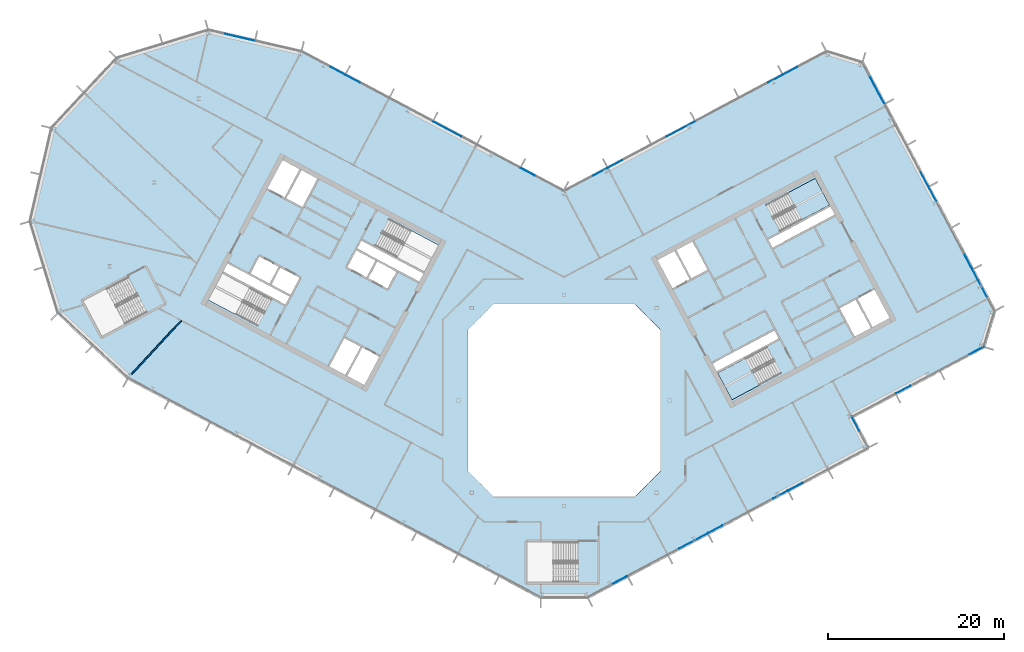
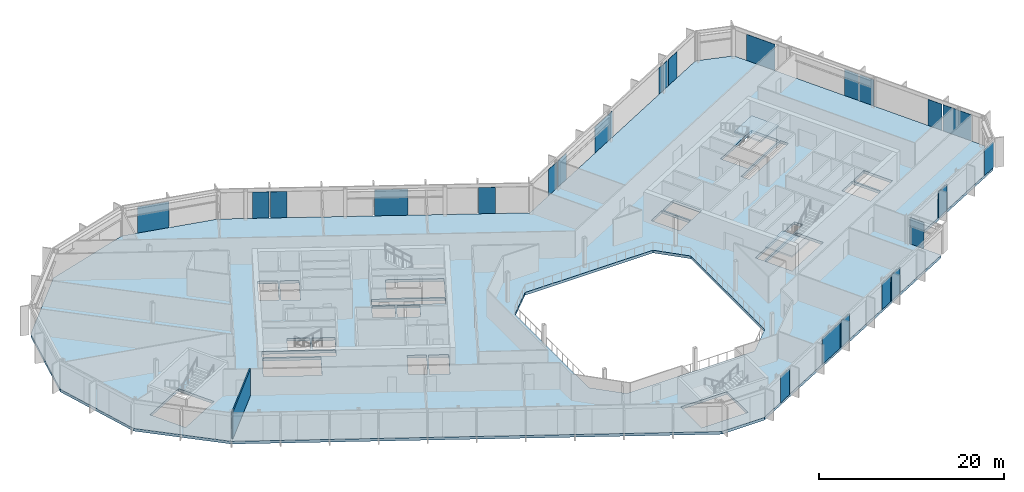
# One storey, part 12 of 27: 23 plates, 3 slabs, 1 wall, 9 elements without a shape of their own.
"""IFC4 building model written with IfcOpenShell, lengths in metres."""

from ifc_helpers import new_model, si_unit, direction, frame, frame_2d, origin, origin_2d, place, context, subcontext, project, spatial, polyline, rectangle, outline, extrude, material, layer, layer_set, type_object, element, aggregate, save


model = new_model("IFC4")

# Units and contexts
model_context = context("Model", 3, precision=1e-05, world=origin(), true_north=direction((0.0, 1.0)))
body_context = subcontext(model_context, "Body", "Model", "MODEL_VIEW")
ifc_project = project(units=[si_unit("LENGTHUNIT", "METRE"), si_unit("AREAUNIT", "SQUARE_METRE"), si_unit("VOLUMEUNIT", "CUBIC_METRE"), si_unit("PLANEANGLEUNIT", "RADIAN"), si_unit("MASSUNIT", "GRAM", prefix="KILO")], contexts=[model_context])

# Site, building, storey
site_placement = place(None, origin())
site = spatial("IfcSite", under=ifc_project, at=site_placement, CompositionType="ELEMENT")
building_placement = place(site_placement, origin())
building = spatial("IfcBuilding", under=site, at=building_placement, Name="Cormorant Relay Tower", CompositionType="ELEMENT")
storey_placement = place(building_placement, frame((0.0, 0.0, 209.10009765625)))
storey = spatial("IfcBuildingStorey", under=building, at=storey_placement, Name="L45", CompositionType="ELEMENT", Elevation=209.10009765625)

# Curtain wall, plates
ifc_material_1 = material(Name="Aluminium 6063-T6 anodised bronze", Category="aluminium")
ifc_layer_1 = layer(ifc_material_1, 0.199951171875)
ifc_layer_set_1 = layer_set([ifc_layer_1], Name="CW1 unitised bronze curtain wall with vertical fins")
curtain_wall_type = type_object("IfcCurtainWallType", Name="CW1 unitised bronze curtain wall with vertical fins", PredefinedType="NOTDEFINED", material=ifc_layer_set_1)
curtain_wall_1_placement = place(storey_placement, origin())
curtain_wall_1 = element("IfcCurtainWall", 1, at=curtain_wall_1_placement, inside=storey, type_object=curtain_wall_type, Name="CW1 curtain wall 2", PredefinedType="NOTDEFINED")
ifc_material_2 = material(Name="Tinted laminated glass", Category="glass")
ifc_layer_2 = layer(ifc_material_2, 0.0400390625)
ifc_layer_set_2 = layer_set([ifc_layer_2], Name="CW1 tinted vision panel 1800 module")
plate_type_1 = type_object("IfcPlateType", Name="CW1 tinted vision panel 1800 module", PredefinedType="CURTAIN_PANEL", material=ifc_layer_set_2)
plate_1_placement = place(storey_placement, frame((6.359130859375, -20.42529296875, 0.0), z_axis=(0.0, 0.0, 1.0), x_axis=(0.882947592859, 0.469471562786, 0.0)))
plate_1 = element("IfcPlate", 2, at=plate_1_placement, type_object=plate_type_1, Name="CW1 panel V01", PredefinedType="CURTAIN_PANEL", context=body_context, shape_type="SweptSolid", body=[
    extrude(rectangle(XDim=1.800048828125, YDim=0.0400390625, at=origin_2d()), origin(), (0.0, 0.0, 1.0), 3.449951171875),
])
plate_2_placement = place(storey_placement, frame((17.20458984375, -14.65869140625, 0.0), z_axis=(0.0, 0.0, 1.0), x_axis=(0.882947592859, 0.469471562786, 0.0)))
plate_2 = element("IfcPlate", 3, at=plate_2_placement, type_object=plate_type_1, Name="CW1 panel V04", PredefinedType="CURTAIN_PANEL", context=body_context, shape_type="SweptSolid", body=[
    extrude(rectangle(XDim=1.800048828125, YDim=0.0400390625, at=origin_2d()), origin(), (0.0, 0.0, 1.0), 3.449951171875),
])
plate_3_placement = place(storey_placement, frame((24.6064453125, -10.72314453125, 0.0), z_axis=(0.0, 0.0, 1.0), x_axis=(0.882947592859, 0.469471562786, 0.0)))
plate_3 = element("IfcPlate", 4, at=plate_3_placement, type_object=plate_type_1, Name="CW1 panel V06", PredefinedType="CURTAIN_PANEL", context=body_context, shape_type="SweptSolid", body=[
    extrude(rectangle(XDim=1.800048828125, YDim=0.0400390625, at=origin_2d()), origin(), (0.0, 0.0, 1.0), 3.449951171875),
])
plate_4_placement = place(storey_placement, frame((26.328125, -9.8076171875, 0.0), z_axis=(0.0, 0.0, 1.0), x_axis=(0.882947592859, 0.469471562786, 0.0)))
plate_4 = element("IfcPlate", 5, at=plate_4_placement, type_object=plate_type_1, Name="CW1 panel V07", PredefinedType="CURTAIN_PANEL", context=body_context, shape_type="SweptSolid", body=[
    extrude(rectangle(XDim=1.800048828125, YDim=0.0400390625, at=origin_2d()), origin(), (0.0, 0.0, 1.0), 3.449951171875),
])

# Curtain wall, plate
curtain_wall_2_placement = place(storey_placement, origin())
curtain_wall_2 = element("IfcCurtainWall", 6, at=curtain_wall_2_placement, inside=storey, type_object=curtain_wall_type, Name="CW1 curtain wall 3", PredefinedType="NOTDEFINED")
plate_5_placement = place(storey_placement, frame((33.143798828125, -2.650146484375, 0.0), z_axis=(0.0, 0.0, 1.0), x_axis=(-0.469471562786, 0.882947592859, 0.0)))
plate_5 = element("IfcPlate", 7, at=plate_5_placement, type_object=plate_type_1, Name="CW1 panel V01", PredefinedType="CURTAIN_PANEL", context=body_context, shape_type="SweptSolid", body=[
    extrude(rectangle(XDim=1.800048828125, YDim=0.0400390625, at=origin_2d()), origin(), (0.0, 0.0, 1.0), 3.449951171875),
])
aggregate(curtain_wall_2, [plate_5])

# Curtain wall, plates
curtain_wall_3_placement = place(storey_placement, origin())
curtain_wall_3 = element("IfcCurtainWall", 8, at=curtain_wall_3_placement, inside=storey, type_object=curtain_wall_type, Name="CW1 curtain wall 4", PredefinedType="NOTDEFINED")
plate_6_placement = place(storey_placement, frame((38.5771484375, 1.235595703125, 0.0), z_axis=(0.0, 0.0, 1.0), x_axis=(0.882947592859, 0.469471562786, 0.0)))
plate_6 = element("IfcPlate", 9, at=plate_6_placement, type_object=plate_type_1, Name="CW1 panel V01", PredefinedType="CURTAIN_PANEL", context=body_context, shape_type="SweptSolid", body=[
    extrude(rectangle(XDim=1.800048828125, YDim=0.0400390625, at=origin_2d()), origin(), (0.0, 0.0, 1.0), 3.449951171875),
])
plate_7_placement = place(storey_placement, frame((46.928466796875, 5.67578125, 0.0), z_axis=(0.0, 0.0, 1.0), x_axis=(0.882947592859, 0.469471562786, 0.0)))
plate_7 = element("IfcPlate", 10, at=plate_7_placement, type_object=plate_type_1, Name="CW1 panel V03", PredefinedType="CURTAIN_PANEL", context=body_context, shape_type="SweptSolid", body=[
    extrude(rectangle(XDim=1.800048828125, YDim=0.0400390625, at=origin_2d()), origin(), (0.0, 0.0, 1.0), 3.449951171875),
])
aggregate(curtain_wall_3, [plate_6, plate_7])

curtain_wall_4_placement = place(storey_placement, origin())
curtain_wall_4 = element("IfcCurtainWall", 11, at=curtain_wall_4_placement, inside=storey, type_object=curtain_wall_type, Name="CW1 curtain wall 6", PredefinedType="NOTDEFINED")
plate_8_placement = place(storey_placement, frame((46.01025390625, 15.752685546875, 0.0), z_axis=(0.0, 0.0, 1.0), x_axis=(-0.469471562786, 0.882947592859, 0.0)))
plate_8 = element("IfcPlate", 12, at=plate_8_placement, type_object=plate_type_1, Name="CW1 panel V02", PredefinedType="CURTAIN_PANEL", context=body_context, shape_type="SweptSolid", body=[
    extrude(rectangle(XDim=1.800048828125, YDim=0.0400390625, at=origin_2d()), origin(), (0.0, 0.0, 1.0), 3.449951171875),
])
plate_9_placement = place(storey_placement, frame((41.91796875, 23.448974609375, 0.0), z_axis=(0.0, 0.0, 1.0), x_axis=(-0.469471562786, 0.882947592859, 0.0)))
plate_9 = element("IfcPlate", 13, at=plate_9_placement, type_object=plate_type_1, Name="CW1 panel V04", PredefinedType="CURTAIN_PANEL", context=body_context, shape_type="SweptSolid", body=[
    extrude(rectangle(XDim=1.800048828125, YDim=0.0400390625, at=origin_2d()), origin(), (0.0, 0.0, 1.0), 3.449951171875),
])
plate_10_placement = place(storey_placement, frame((41.00244140625, 25.1708984375, 0.0), z_axis=(0.0, 0.0, 1.0), x_axis=(-0.469471562786, 0.882947592859, 0.0)))
plate_10 = element("IfcPlate", 14, at=plate_10_placement, type_object=plate_type_1, Name="CW1 panel V05", PredefinedType="CURTAIN_PANEL", context=body_context, shape_type="SweptSolid", body=[
    extrude(rectangle(XDim=1.800048828125, YDim=0.0400390625, at=origin_2d()), origin(), (0.0, 0.0, 1.0), 3.449951171875),
])

curtain_wall_5_placement = place(storey_placement, origin())
curtain_wall_5 = element("IfcCurtainWall", 15, at=curtain_wall_5_placement, inside=storey, type_object=curtain_wall_type, Name="CW1 curtain wall 8", PredefinedType="NOTDEFINED")
plate_11_placement = place(storey_placement, frame((25.746337890625, 37.49609375, 0.0), z_axis=(0.0, 0.0, 1.0), x_axis=(-0.882947592859, -0.469471562786, 0.0)))
plate_11 = element("IfcPlate", 16, at=plate_11_placement, type_object=plate_type_1, Name="CW1 panel V01", PredefinedType="CURTAIN_PANEL", context=body_context, shape_type="SweptSolid", body=[
    extrude(rectangle(XDim=1.800048828125, YDim=0.0400390625, at=origin_2d()), origin(), (0.0, 0.0, 1.0), 3.449951171875),
])
plate_12_placement = place(storey_placement, frame((24.0244140625, 36.580810546875, 0.0), z_axis=(0.0, 0.0, 1.0), x_axis=(-0.882947592859, -0.469471562786, 0.0)))
plate_12 = element("IfcPlate", 17, at=plate_12_placement, type_object=plate_type_1, Name="CW1 panel V02", PredefinedType="CURTAIN_PANEL", context=body_context, shape_type="SweptSolid", body=[
    extrude(rectangle(XDim=1.800048828125, YDim=0.0400390625, at=origin_2d()), origin(), (0.0, 0.0, 1.0), 3.449951171875),
])
plate_13_placement = place(storey_placement, frame((5.830322265625, 26.90673828125, 0.0), z_axis=(0.0, 0.0, 1.0), x_axis=(-0.882947592859, -0.469471562786, 0.0)))
plate_13 = element("IfcPlate", 18, at=plate_13_placement, type_object=plate_type_1, Name="CW1 panel V06", PredefinedType="CURTAIN_PANEL", context=body_context, shape_type="SweptSolid", body=[
    extrude(rectangle(XDim=1.800048828125, YDim=0.0400390625, at=origin_2d()), origin(), (0.0, 0.0, 1.0), 3.449951171875),
])
plate_14_placement = place(storey_placement, frame((4.108642578125, 25.9912109375, 0.0), z_axis=(0.0, 0.0, 1.0), x_axis=(-0.882947592859, -0.469471562786, 0.0)))
plate_14 = element("IfcPlate", 19, at=plate_14_placement, type_object=plate_type_1, Name="CW1 panel V07", PredefinedType="CURTAIN_PANEL", context=body_context, shape_type="SweptSolid", body=[
    extrude(rectangle(XDim=1.800048828125, YDim=0.0400390625, at=origin_2d()), origin(), (0.0, 0.0, 1.0), 3.449951171875),
])

curtain_wall_6_placement = place(storey_placement, origin())
curtain_wall_6 = element("IfcCurtainWall", 20, at=curtain_wall_6_placement, inside=storey, type_object=curtain_wall_type, Name="CW1 curtain wall 9", PredefinedType="NOTDEFINED")
plate_15_placement = place(storey_placement, frame((-4.108642578125, 25.9912109375, 0.0), z_axis=(0.0, 0.0, 1.0), x_axis=(-0.882947592859, 0.469471562786, 0.0)))
plate_15 = element("IfcPlate", 21, at=plate_15_placement, type_object=plate_type_1, Name="CW1 panel V01", PredefinedType="CURTAIN_PANEL", context=body_context, shape_type="SweptSolid", body=[
    extrude(rectangle(XDim=1.800048828125, YDim=0.0400390625, at=origin_2d()), origin(), (0.0, 0.0, 1.0), 3.449951171875),
])
plate_16_placement = place(storey_placement, frame((-24.0244140625, 36.580810546875, 0.0), z_axis=(0.0, 0.0, 1.0), x_axis=(-0.882947592859, 0.469471562786, 0.0)))
plate_16 = element("IfcPlate", 22, at=plate_16_placement, type_object=plate_type_1, Name="CW1 panel V05", PredefinedType="CURTAIN_PANEL", context=body_context, shape_type="SweptSolid", body=[
    extrude(rectangle(XDim=1.800048828125, YDim=0.0400390625, at=origin_2d()), origin(), (0.0, 0.0, 1.0), 3.449951171875),
])
plate_17_placement = place(storey_placement, frame((-25.746337890625, 37.49609375, 0.0), z_axis=(0.0, 0.0, 1.0), x_axis=(-0.882947592859, 0.469471562786, 0.0)))
plate_17 = element("IfcPlate", 23, at=plate_17_placement, type_object=plate_type_1, Name="CW1 panel V06", PredefinedType="CURTAIN_PANEL", context=body_context, shape_type="SweptSolid", body=[
    extrude(rectangle(XDim=1.800048828125, YDim=0.0400390625, at=origin_2d()), origin(), (0.0, 0.0, 1.0), 3.449951171875),
])

# Plate
ifc_material_3 = material(Name="Tinted laminated glass", Category="glass")
ifc_layer_3 = layer(ifc_material_3, 0.0400390625)
ifc_layer_set_3 = layer_set([ifc_layer_3], Name="CW1 tinted vision panel 3600 module")
plate_type_2 = type_object("IfcPlateType", Name="CW1 tinted vision panel 3600 module", PredefinedType="CURTAIN_PANEL", material=ifc_layer_set_3)
plate_18_placement = place(storey_placement, frame((14.68798828125, -15.996826171875, 0.0), z_axis=(0.0, 0.0, 1.0), x_axis=(0.882947592859, 0.469471562786, 0.0)))
plate_18 = element("IfcPlate", 24, at=plate_18_placement, type_object=plate_type_2, Name="CW1 panel V03", PredefinedType="CURTAIN_PANEL", context=body_context, shape_type="SweptSolid", body=[
    extrude(rectangle(XDim=3.60009765625, YDim=0.0400390625, at=origin_2d()), origin(), (0.0, 0.0, 1.0), 3.449951171875),
])

aggregate(curtain_wall_1, [plate_1, plate_18, plate_2, plate_3, plate_4])

plate_19_placement = place(storey_placement, frame((47.34814453125, 13.236328125, 0.0), z_axis=(0.0, 0.0, 1.0), x_axis=(-0.469471562786, 0.882947592859, 0.0)))
plate_19 = element("IfcPlate", 25, at=plate_19_placement, type_object=plate_type_2, Name="CW1 panel V01", PredefinedType="CURTAIN_PANEL", context=body_context, shape_type="SweptSolid", body=[
    extrude(rectangle(XDim=3.60009765625, YDim=0.0400390625, at=origin_2d()), origin(), (0.0, 0.0, 1.0), 3.449951171875),
])

plate_20_placement = place(storey_placement, frame((35.572265625, 35.383544921875, 0.0), z_axis=(0.0, 0.0, 1.0), x_axis=(-0.469471562786, 0.882947592859, 0.0)))
plate_20 = element("IfcPlate", 26, at=plate_20_placement, type_object=plate_type_2, Name="CW1 panel V07", PredefinedType="CURTAIN_PANEL", context=body_context, shape_type="SweptSolid", body=[
    extrude(rectangle(XDim=3.60009765625, YDim=0.0400390625, at=origin_2d()), origin(), (0.0, 0.0, 1.0), 3.449951171875),
])

aggregate(curtain_wall_4, [plate_19, plate_8, plate_9, plate_10, plate_20])

plate_21_placement = place(storey_placement, frame((13.27197265625, 30.86328125, 0.0), z_axis=(0.0, 0.0, 1.0), x_axis=(-0.882947592859, -0.469471562786, 0.0)))
plate_21 = element("IfcPlate", 27, at=plate_21_placement, type_object=plate_type_2, Name="CW1 panel V04", PredefinedType="CURTAIN_PANEL", context=body_context, shape_type="SweptSolid", body=[
    extrude(rectangle(XDim=3.60009765625, YDim=0.0400390625, at=origin_2d()), origin(), (0.0, 0.0, 1.0), 3.449951171875),
])

aggregate(curtain_wall_5, [plate_11, plate_12, plate_21, plate_13, plate_14])

plate_22_placement = place(storey_placement, frame((-13.27197265625, 30.86328125, 0.0), z_axis=(0.0, 0.0, 1.0), x_axis=(-0.882947592859, 0.469471562786, 0.0)))
plate_22 = element("IfcPlate", 28, at=plate_22_placement, type_object=plate_type_2, Name="CW1 panel V03", PredefinedType="CURTAIN_PANEL", context=body_context, shape_type="SweptSolid", body=[
    extrude(rectangle(XDim=3.60009765625, YDim=0.0400390625, at=origin_2d()), origin(), (0.0, 0.0, 1.0), 3.449951171875),
])

aggregate(curtain_wall_6, [plate_15, plate_22, plate_16, plate_17])

# Curtain wall, plate
curtain_wall_7_placement = place(storey_placement, origin())
curtain_wall_7 = element("IfcCurtainWall", 29, at=curtain_wall_7_placement, inside=storey, type_object=curtain_wall_type, Name="CW1 curtain wall 10", PredefinedType="NOTDEFINED")
plate_23_placement = place(storey_placement, frame((-36.9921875, 41.33203125, 0.0), z_axis=(0.0, 0.0, 1.0), x_axis=(-0.974370064785, 0.224951054344, 0.0)))
plate_23 = element("IfcPlate", 30, at=plate_23_placement, type_object=plate_type_2, Name="CW1 panel V01", PredefinedType="CURTAIN_PANEL", context=body_context, shape_type="SweptSolid", body=[
    extrude(rectangle(XDim=3.60009765625, YDim=0.0400390625, at=origin_2d()), origin(), (0.0, 0.0, 1.0), 3.449951171875),
])
aggregate(curtain_wall_7, [plate_23])

# Stair, slab
ifc_material_4 = material(Name="Concrete 40 MPa", Category="concrete")
stair_type = type_object("IfcStairType", Name="Exit stair 1500", PredefinedType="HALF_TURN_STAIR", material=ifc_material_4)
stair_1_placement = place(storey_placement, origin())
stair_1 = element("IfcStair", 31, at=stair_1_placement, inside=storey, type_object=stair_type, Name="L45 Stair", PredefinedType="HALF_TURN_STAIR")
ifc_material_5 = material(Name="Concrete 40 MPa", Category="concrete")
ifc_layer_4 = layer(ifc_material_5, 0.199951171875)
ifc_layer_set_4 = layer_set([ifc_layer_4], Name="Exit stair landing 200")
slab_type_1 = type_object("IfcSlabType", Name="Exit stair landing 200", PredefinedType="LANDING", material=ifc_layer_set_4)
slab_1_placement = place(storey_placement, frame((0.0, 0.0, 1.75)))
slab_1 = element("IfcSlab", 32, at=slab_1_placement, type_object=slab_type_1, Name="B1 landing 1", PredefinedType="LANDING", context=body_context, shape_type="SweptSolid", body=[
    extrude(outline(polyline([(20.614990234375, 4.78857421875), (17.48046875, 3.1220703125), (19.10009765625, 0.075927734375), (22.234619140625, 1.742431640625), (20.614990234375, 4.78857421875)])), origin(), (0.0, 0.0, 1.0), 0.199951171875),
])
aggregate(stair_1, [slab_1])

stair_2_placement = place(storey_placement, origin())
stair_2 = element("IfcStair", 33, at=stair_2_placement, inside=storey, type_object=stair_type, Name="L45 Stair", PredefinedType="HALF_TURN_STAIR")
slab_2_placement = place(storey_placement, frame((0.0, 0.0, 1.75)))
slab_2 = element("IfcSlab", 34, at=slab_2_placement, type_object=slab_type_1, Name="B2 landing 1", PredefinedType="LANDING", context=body_context, shape_type="SweptSolid", body=[
    extrude(outline(polyline([(27.064208984375, 20.562744140625), (30.19873046875, 22.2294921875), (28.5791015625, 25.275634765625), (25.444580078125, 23.60888671875), (27.064208984375, 20.562744140625)])), origin(), (0.0, 0.0, 1.0), 0.199951171875),
])
aggregate(stair_2, [slab_2])

# Slab
ifc_material_6 = material(Name="Concrete 40 MPa", Category="concrete")
ifc_layer_5 = layer(ifc_material_6, 0.360107421875)
ifc_layer_set_5 = layer_set([ifc_layer_5], Name="Flat plate 360")
slab_type_2 = type_object("IfcSlabType", Name="Flat plate 360", PredefinedType="FLOOR", material=ifc_layer_set_5)
slab_3_placement = place(storey_placement, frame((0.0, 0.0, -0.360107421875)))
element("IfcSlab", 35, at=slab_3_placement, inside=storey, type_object=slab_type_2, Name="Floor slab L45", PredefinedType="FLOOR", context=body_context, shape_type="SweptSolid", body=[
    extrude(outline(polyline([(-60.7197265625, 20.393310546875), (-58.2744140625, 30.985107421875), (-50.86083984375, 38.935302734375), (-40.465576171875, 42.11328125), (-29.873779296875, 39.668212890625), (0.0, 23.783935546875), (29.873779296875, 39.668212890625), (33.930908203125, 38.427734375), (48.9541015625, 10.17333984375), (47.713623046875, 6.1162109375), (32.70361328125, -1.864990234375), (34.581298828125, -5.396728515625), (2.648681640625, -22.37548828125), (-2.648681640625, -22.37548828125), (-49.591552734375, 2.584228515625), (-57.541748046875, 9.997802734375), (-60.7197265625, 20.393310546875)]), holes=[polyline([(11.0, -8.0), (11.0, 8.0), (8.0, 11.0), (-8.0, 11.0), (-11.0, 8.0), (-11.0, -8.0), (-8.0, -11.0), (8.0, -11.0), (11.0, -8.0)]), polyline([(-22.95458984375, 6.03271484375), (-24.668212890625, 2.81005859375), (-22.725830078125, 1.777099609375), (-21.01220703125, 5.0), (-23.04296875, 6.07958984375), (-22.95458984375, 6.03271484375)]), polyline([(-24.985595703125, 7.112548828125), (-26.69921875, 3.889892578125), (-24.844970703125, 2.90380859375), (-23.13134765625, 6.126708984375), (-23.04296875, 6.07958984375), (-24.985595703125, 7.112548828125)]), polyline([(-54.69970703125, 11.330810546875), (-52.563720703125, 7.3134765625), (-47.442626953125, 10.036376953125), (-49.57861328125, 14.0537109375), (-54.69970703125, 11.330810546875)]), polyline([(-33.240966796875, 11.502197265625), (-38.847900390625, 14.483154296875), (-40.46728515625, 11.43701171875), (-34.860595703125, 8.455810546875), (-33.240966796875, 11.502197265625)]), polyline([(-38.260986328125, 15.5869140625), (-38.75390625, 14.659912109375), (-31.690185546875, 10.904052734375), (-31.197265625, 11.8310546875), (-38.260986328125, 15.5869140625)]), polyline([(-31.103515625, 12.0078125), (-30.070556640625, 13.9501953125), (-32.278076171875, 15.123779296875), (-33.310791015625, 13.181396484375), (-31.103515625, 12.0078125)]), polyline([(-19.048095703125, 14.658203125), (-21.25537109375, 15.831787109375), (-22.2880859375, 13.889404296875), (-20.080810546875, 12.7158203125), (-19.048095703125, 14.658203125)]), polyline([(-34.661865234375, 16.3916015625), (-35.69482421875, 14.448974609375), (-33.4873046875, 13.275390625), (-32.45458984375, 15.2177734375), (-34.661865234375, 16.3916015625)]), polyline([(-23.639404296875, 17.099609375), (-24.672119140625, 15.156982421875), (-22.46484375, 13.9833984375), (-21.431884765625, 15.92578125), (-23.639404296875, 17.099609375)]), polyline([(-31.611572265625, 22.980712890625), (-29.75732421875, 21.99462890625), (-28.043701171875, 25.217529296875), (-29.89794921875, 26.203369140625), (-31.611572265625, 22.980712890625)]), polyline([(-32.01708984375, 27.330078125), (-33.73046875, 24.107421875), (-31.7880859375, 23.074462890625), (-30.074462890625, 26.29736328125), (-32.01708984375, 27.330078125)]), polyline([(-4.199951171875, -16.125), (-4.199951171875, -20.675048828125), (1.60009765625, -20.675048828125), (1.60009765625, -16.125), (-4.199951171875, -16.125)]), polyline([(17.48046875, 3.1220703125), (19.10009765625, 0.07568359375), (24.706787109375, 3.056884765625), (23.087158203125, 6.10302734375), (17.48046875, 3.1220703125)]), polyline([(17.386474609375, 3.298583984375), (24.4501953125, 7.054443359375), (23.957275390625, 7.9814453125), (16.8935546875, 4.2255859375), (17.386474609375, 3.298583984375)]), polyline([(33.197021484375, 11.478515625), (31.3427734375, 10.49267578125), (33.056396484375, 7.27001953125), (34.910400390625, 8.255859375), (33.197021484375, 11.478515625)]), polyline([(33.37353515625, 11.572509765625), (35.087158203125, 8.349609375), (37.029541015625, 9.382568359375), (35.31591796875, 12.605224609375), (33.37353515625, 11.572509765625)]), polyline([(14.3056640625, 13.779052734375), (12.592041015625, 17.001708984375), (10.649658203125, 15.968994140625), (12.36328125, 12.74609375), (14.39404296875, 13.825927734375), (14.3056640625, 13.779052734375)]), polyline([(16.33642578125, 14.85888671875), (14.622802734375, 18.08154296875), (12.768798828125, 17.095703125), (14.482421875, 13.872802734375), (14.39404296875, 13.825927734375), (16.33642578125, 14.85888671875)]), polyline([(-16.481689453125, 13.520263671875), (-15.989013671875, 14.447509765625), (-23.052490234375, 18.203125), (-23.54541015625, 17.276123046875), (-16.481689453125, 13.520263671875)]), polyline([(-15.89501953125, 14.6240234375), (-14.275390625, 17.670166015625), (-19.882080078125, 20.6513671875), (-21.501708984375, 17.605224609375), (-15.89501953125, 14.6240234375)]), polyline([(30.78564453125, 21.125732421875), (30.29248046875, 22.052978515625), (23.22900390625, 18.297119140625), (23.721923828125, 17.3701171875), (30.78564453125, 21.125732421875)]), polyline([(24.592041015625, 19.248291015625), (30.19873046875, 22.2294921875), (28.5791015625, 25.275634765625), (22.972412109375, 22.29443359375), (24.592041015625, 19.248291015625)])]), origin(), (0.0, 0.0, 1.0), 0.360107421875),
])

# Wall
ifc_material_7 = material(Name="Gypsum board partition")
ifc_layer_6 = layer(ifc_material_7, 0.14990234375)
ifc_layer_set_6 = layer_set([ifc_layer_6], Name="Tenant partition 150")
wall_type = type_object("IfcWallType", Name="Tenant partition 150", PredefinedType="PARTITIONING", material=ifc_layer_set_6)
wall_placement = place(storey_placement, frame((-43.51904296875, 9.095947265625, 0.0), z_axis=(0.0, 0.0, 1.0), x_axis=(-0.681976527411, -0.731374060287, 0.0)))
element("IfcWall", 36, at=wall_placement, inside=storey, type_object=wall_type, Name="wall/L45/part/009", PredefinedType="PARTITIONING", context=body_context, shape_type="SweptSolid", body=[
    extrude(rectangle(XDim=8.402099609375, YDim=0.14990234375, at=frame_2d((4.201171875, 0.0))), origin(), (0.0, 0.0, 1.0), 3.539794921875),
])

save(model, "model.ifc")
